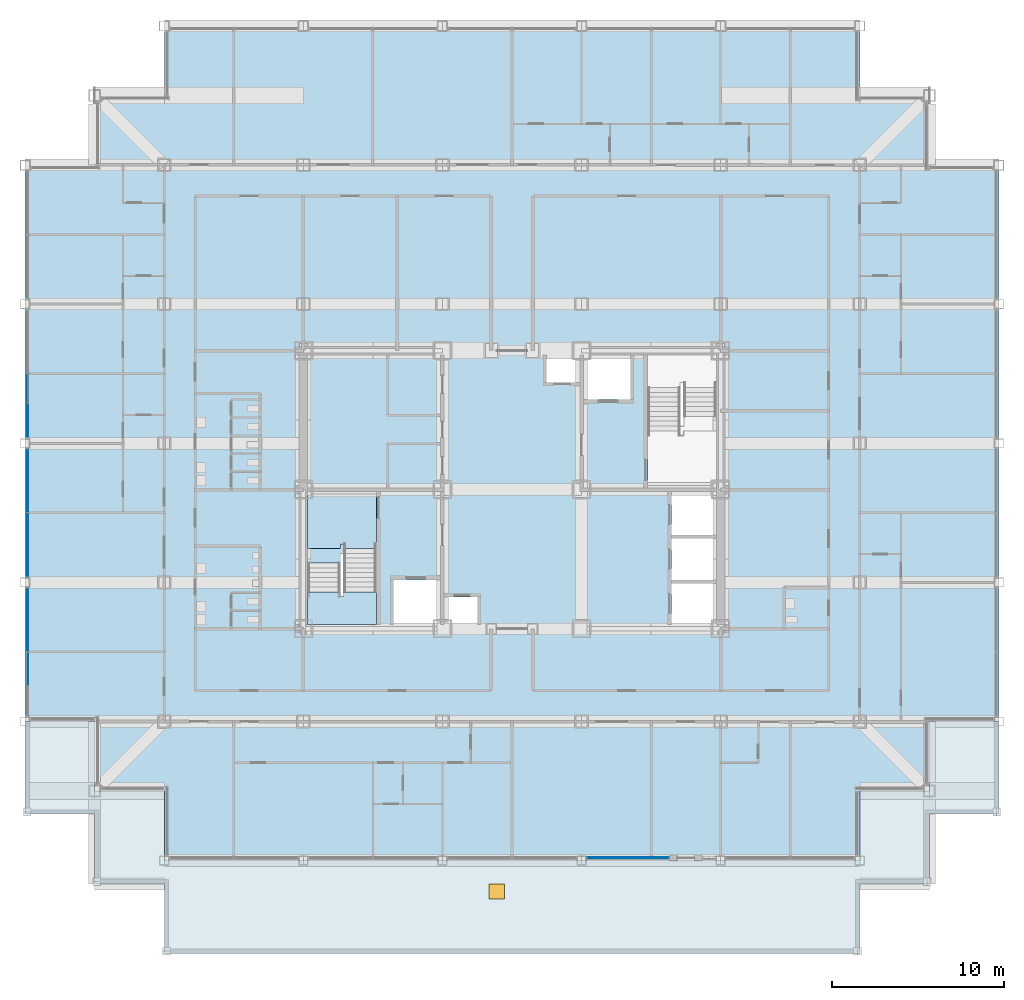
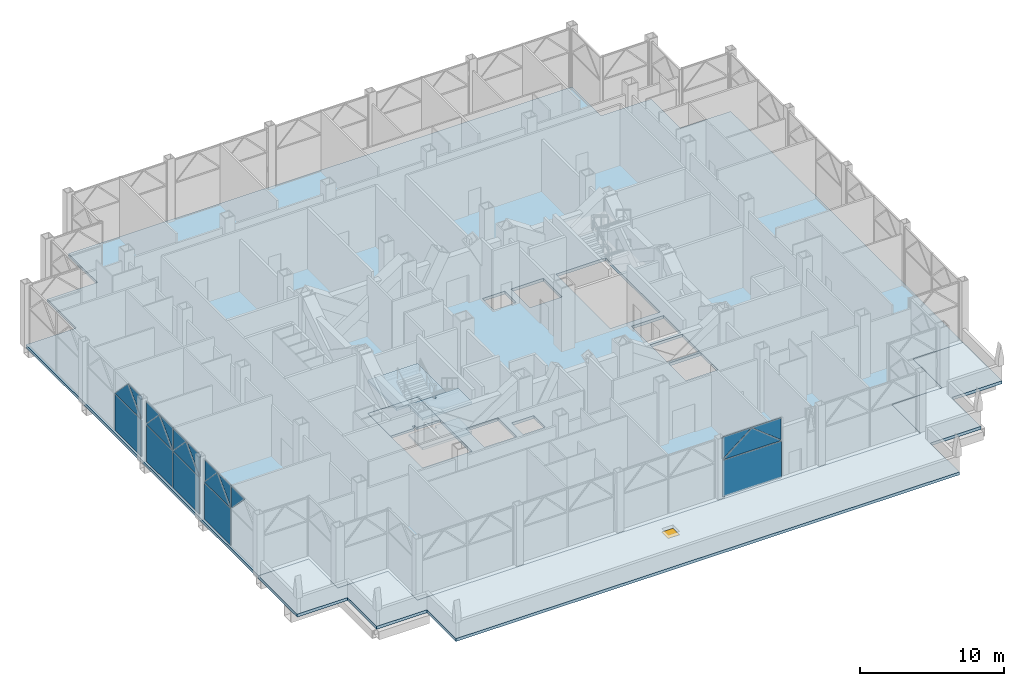
# One storey, part 13 of 29: 20 plates, 6 slabs, 1 window, 1 opening, 5 elements without a shape of their own.
"""IFC4 building model written with IfcOpenShell, lengths in metres."""

from ifc_helpers import new_model, si_unit, direction, frame, origin, origin_2d, place, context, subcontext, project, spatial, polyline, rectangle, outline, extrude, material, layer, layer_set, type_object, element, fill, aggregate, save


model = new_model("IFC4")

# Units and contexts
model_context = context("Model", 3, precision=1e-05, world=origin(), true_north=direction((0.0, 1.0)))
body_context = subcontext(model_context, "Body", "Model", "MODEL_VIEW")
ifc_project = project(units=[si_unit("LENGTHUNIT", "METRE"), si_unit("AREAUNIT", "SQUARE_METRE"), si_unit("VOLUMEUNIT", "CUBIC_METRE"), si_unit("PLANEANGLEUNIT", "RADIAN"), si_unit("MASSUNIT", "GRAM", prefix="KILO")], contexts=[model_context])

# Site, building, storey
site_placement = place(None, origin())
site = spatial("IfcSite", under=ifc_project, at=site_placement, CompositionType="ELEMENT")
building_placement = place(site_placement, origin())
building = spatial("IfcBuilding", under=site, at=building_placement, Name="Kopane Lantern Tower", CompositionType="ELEMENT")
storey_placement = place(building_placement, frame((0.0, 0.0, 165.0)))
storey = spatial("IfcBuildingStorey", under=building, at=storey_placement, Name="L42", CompositionType="ELEMENT", Elevation=165.0)

# Curtain wall, plates
ifc_material_1 = material(Name="Aluminium and clear glass", Category="aluminium")
curtain_wall_type = type_object("IfcCurtainWallType", Name="CURTAIN WALL CW4 RESIDENCES LOBBY", PredefinedType="USERDEFINED", material=ifc_material_1)
curtain_wall_1_placement = place(storey_placement, origin())
curtain_wall_1 = element("IfcCurtainWall", 1, at=curtain_wall_1_placement, inside=storey, type_object=curtain_wall_type, Name="Curtain wall CW4 S L42", ObjectType="CURTAIN WALL", PredefinedType="USERDEFINED")
ifc_material_2 = material(Name="Insulated clear glass unit", Category="glass")
ifc_layer_1 = layer(ifc_material_2, 0.028076171875)
ifc_layer_set_1 = layer_set([ifc_layer_1], Name="CURTAIN PANEL CW4-P 28")
plate_type = type_object("IfcPlateType", Name="CURTAIN PANEL CW4-P 28", PredefinedType="CURTAIN_PANEL", material=ifc_layer_set_1)
plate_1_placement = place(storey_placement, frame((35.1025390625, 10.949951171875, 0.06005859375), z_axis=(0.0, 0.0, 1.0), x_axis=(1.0, 0.0, 0.0)))
plate_1 = element("IfcPlate", 2, at=plate_1_placement, type_object=plate_type, Name="CW4 panel 1.1", PredefinedType="CURTAIN_PANEL", context=body_context, shape_type="SweptSolid", body=[
    extrude(rectangle(XDim=4.72509765625, YDim=0.028076171875, at=origin_2d()), origin(), (0.0, 0.0, 1.0), 3.10009765625),
])
plate_2_placement = place(storey_placement, frame((32.739990234375, 10.949951171875, 3.219970703125), z_axis=(0.0, 0.0, 1.0), x_axis=(1.0, 0.0, 0.0)))
plate_2 = element("IfcPlate", 3, at=plate_2_placement, type_object=plate_type, Name="CW4 lancet panel 1", PredefinedType="CURTAIN_PANEL", context=body_context, shape_type="SweptSolid", body=[
    extrude(outline(polyline([(0.0, 0.0), (4.72509765625, 0.0), (4.72509765625, 0.0009765625), (2.362548828125, 1.893310546875), (0.0, 0.0009765625), (0.0, 0.0)])), frame((0.0, 0.01416015625, 0.0), z_axis=(0.0, -1.0, 0.0), x_axis=(1.0, 0.0, 0.0)), (0.0, 0.0, 1.0), 0.028076171875),
])
plate_3_placement = place(storey_placement, frame((32.739990234375, 10.97998046875, 5.1298828125), z_axis=(0.0, 0.0, 1.0), x_axis=(1.0, 0.0, 0.0)))
plate_3 = element("IfcPlate", 4, at=plate_3_placement, type_object=plate_type, Name="CW4 spandrel panel 1L", PredefinedType="CURTAIN_PANEL", context=body_context, shape_type="SweptSolid", body=[
    extrude(outline(polyline([(0.0, 0.0), (2.362548828125, 0.0), (2.362548828125, -0.0009765625), (0.0, -1.863037109375), (0.0, 0.0)])), frame((0.0, 0.01416015625, 0.0), z_axis=(0.0, -1.0, 0.0), x_axis=(1.0, 0.0, 0.0)), (0.0, 0.0, 1.0), 0.028076171875),
])
plate_4_placement = place(storey_placement, frame((37.465087890625, 10.97998046875, 5.1298828125), z_axis=(0.0, 0.0, 1.0), x_axis=(-1.0, 0.0, 0.0)))
plate_4 = element("IfcPlate", 5, at=plate_4_placement, type_object=plate_type, Name="CW4 spandrel panel 1R", PredefinedType="CURTAIN_PANEL", context=body_context, shape_type="SweptSolid", body=[
    extrude(outline(polyline([(0.0, 0.0), (2.362548828125, 0.0), (2.362548828125, -0.0009765625), (0.0, -1.863037109375), (0.0, 0.0)])), frame((0.0, 0.01416015625, 0.0), z_axis=(0.0, -1.0, 0.0), x_axis=(1.0, 0.0, 0.0)), (0.0, 0.0, 1.0), 0.028076171875),
])
aggregate(curtain_wall_1, [plate_1, plate_2, plate_3, plate_4])

curtain_wall_2_placement = place(storey_placement, origin())
curtain_wall_2 = element("IfcCurtainWall", 6, at=curtain_wall_2_placement, inside=storey, type_object=curtain_wall_type, Name="Curtain wall CW4 W L42", ObjectType="CURTAIN WALL", PredefinedType="USERDEFINED")
plate_5_placement = place(storey_placement, frame((0.14990234375, 37.280029296875, 0.06005859375), z_axis=(0.0, 0.0, 1.0), x_axis=(0.0, -1.0, 0.0)))
plate_5 = element("IfcPlate", 7, at=plate_5_placement, type_object=plate_type, Name="CW4 panel 2.1", PredefinedType="CURTAIN_PANEL", context=body_context, shape_type="SweptSolid", body=[
    extrude(rectangle(XDim=3.679931640625, YDim=0.028076171875, at=origin_2d()), origin(), (0.0, 0.0, 1.0), 3.10009765625),
])
plate_6_placement = place(storey_placement, frame((0.14990234375, 39.1201171875, 3.219970703125), z_axis=(0.0, 0.0, 1.0), x_axis=(0.0, -1.0, 0.0)))
plate_6 = element("IfcPlate", 8, at=plate_6_placement, type_object=plate_type, Name="CW4 lancet panel 2", PredefinedType="CURTAIN_PANEL", context=body_context, shape_type="SweptSolid", body=[
    extrude(outline(polyline([(0.0, 0.0), (3.68017578125, 0.0), (3.679931640625, 0.0009765625), (1.840087890625, 1.913330078125), (0.0, 0.0009765625), (0.0, 0.0)])), frame((0.0, 0.01416015625, 0.0), z_axis=(0.0, -1.0, 0.0), x_axis=(1.0, 0.0, 0.0)), (0.0, 0.0, 1.0), 0.028076171875),
])
plate_7_placement = place(storey_placement, frame((0.179931640625, 35.43994140625, 5.1298828125), z_axis=(0.0, 0.0, 1.0), x_axis=(0.0, 1.0, 0.0)))
plate_7 = element("IfcPlate", 9, at=plate_7_placement, type_object=plate_type, Name="CW4 spandrel panel 2R", PredefinedType="CURTAIN_PANEL", context=body_context, shape_type="SweptSolid", body=[
    extrude(outline(polyline([(0.0, 0.0), (1.840087890625, 0.0), (1.840087890625, -0.0009765625), (0.0, -1.8681640625), (0.0, 0.0)])), frame((0.0, 0.01416015625, 0.0), z_axis=(0.0, -1.0, 0.0), x_axis=(1.0, 0.0, 0.0)), (0.0, 0.0, 1.0), 0.028076171875),
])
aggregate(curtain_wall_2, [plate_5, plate_6, plate_7])

curtain_wall_3_placement = place(storey_placement, origin())
curtain_wall_3 = element("IfcCurtainWall", 10, at=curtain_wall_3_placement, inside=storey, type_object=curtain_wall_type, Name="Curtain wall CW4 W L42", ObjectType="CURTAIN WALL", PredefinedType="USERDEFINED")
plate_8_placement = place(storey_placement, frame((0.14990234375, 32.919921875, 0.06005859375), z_axis=(0.0, 0.0, 1.0), x_axis=(0.0, -1.0, 0.0)))
plate_8 = element("IfcPlate", 11, at=plate_8_placement, type_object=plate_type, Name="CW4 panel 1.1", PredefinedType="CURTAIN_PANEL", context=body_context, shape_type="SweptSolid", body=[
    extrude(rectangle(XDim=3.679931640625, YDim=0.028076171875, at=origin_2d()), origin(), (0.0, 0.0, 1.0), 3.10009765625),
])
plate_9_placement = place(storey_placement, frame((0.14990234375, 29.179931640625, 0.06005859375), z_axis=(0.0, 0.0, 1.0), x_axis=(0.0, -1.0, 0.0)))
plate_9 = element("IfcPlate", 12, at=plate_9_placement, type_object=plate_type, Name="CW4 panel 2.1", PredefinedType="CURTAIN_PANEL", context=body_context, shape_type="SweptSolid", body=[
    extrude(rectangle(XDim=3.679931640625, YDim=0.028076171875, at=origin_2d()), origin(), (0.0, 0.0, 1.0), 3.10009765625),
])
plate_10_placement = place(storey_placement, frame((0.14990234375, 34.760009765625, 3.219970703125), z_axis=(0.0, 0.0, 1.0), x_axis=(0.0, -1.0, 0.0)))
plate_10 = element("IfcPlate", 13, at=plate_10_placement, type_object=plate_type, Name="CW4 lancet panel 1", PredefinedType="CURTAIN_PANEL", context=body_context, shape_type="SweptSolid", body=[
    extrude(outline(polyline([(0.0, 0.0), (3.679931640625, 0.0), (3.679931640625, 0.0009765625), (1.840087890625, 1.913330078125), (0.0, 0.0009765625), (0.0, 0.0)])), frame((0.0, 0.01416015625, 0.0), z_axis=(0.0, -1.0, 0.0), x_axis=(1.0, 0.0, 0.0)), (0.0, 0.0, 1.0), 0.028076171875),
])
plate_11_placement = place(storey_placement, frame((0.179931640625, 34.760009765625, 5.1298828125), z_axis=(0.0, 0.0, 1.0), x_axis=(0.0, -1.0, 0.0)))
plate_11 = element("IfcPlate", 14, at=plate_11_placement, type_object=plate_type, Name="CW4 spandrel panel 1L", PredefinedType="CURTAIN_PANEL", context=body_context, shape_type="SweptSolid", body=[
    extrude(outline(polyline([(0.0, 0.0), (1.840087890625, 0.0), (1.840087890625, -0.0009765625), (0.0, -1.8681640625), (0.0, 0.0)])), frame((0.0, 0.01416015625, 0.0), z_axis=(0.0, -1.0, 0.0), x_axis=(1.0, 0.0, 0.0)), (0.0, 0.0, 1.0), 0.028076171875),
])
plate_12_placement = place(storey_placement, frame((0.179931640625, 31.080078125, 5.1298828125), z_axis=(0.0, 0.0, 1.0), x_axis=(0.0, 1.0, 0.0)))
plate_12 = element("IfcPlate", 15, at=plate_12_placement, type_object=plate_type, Name="CW4 spandrel panel 1R", PredefinedType="CURTAIN_PANEL", context=body_context, shape_type="SweptSolid", body=[
    extrude(outline(polyline([(0.0, 0.0), (1.83984375, 0.0), (1.840087890625, -0.0009765625), (0.0, -1.8681640625), (0.0, 0.0)])), frame((0.0, 0.01416015625, 0.0), z_axis=(0.0, -1.0, 0.0), x_axis=(1.0, 0.0, 0.0)), (0.0, 0.0, 1.0), 0.028076171875),
])
plate_13_placement = place(storey_placement, frame((0.14990234375, 31.02001953125, 3.219970703125), z_axis=(0.0, 0.0, 1.0), x_axis=(0.0, -1.0, 0.0)))
plate_13 = element("IfcPlate", 16, at=plate_13_placement, type_object=plate_type, Name="CW4 lancet panel 2", PredefinedType="CURTAIN_PANEL", context=body_context, shape_type="SweptSolid", body=[
    extrude(outline(polyline([(0.0, 0.0), (3.679931640625, 0.0), (3.679931640625, 0.0009765625), (1.840087890625, 1.913330078125), (0.0, 0.0009765625), (0.0, 0.0)])), frame((0.0, 0.01416015625, 0.0), z_axis=(0.0, -1.0, 0.0), x_axis=(1.0, 0.0, 0.0)), (0.0, 0.0, 1.0), 0.028076171875),
])
plate_14_placement = place(storey_placement, frame((0.179931640625, 31.02001953125, 5.1298828125), z_axis=(0.0, 0.0, 1.0), x_axis=(0.0, -1.0, 0.0)))
plate_14 = element("IfcPlate", 17, at=plate_14_placement, type_object=plate_type, Name="CW4 spandrel panel 2L", PredefinedType="CURTAIN_PANEL", context=body_context, shape_type="SweptSolid", body=[
    extrude(outline(polyline([(0.0, 0.0), (1.840087890625, 0.0), (1.840087890625, -0.0009765625), (0.0, -1.8681640625), (0.0, 0.0)])), frame((0.0, 0.01416015625, 0.0), z_axis=(0.0, -1.0, 0.0), x_axis=(1.0, 0.0, 0.0)), (0.0, 0.0, 1.0), 0.028076171875),
])
plate_15_placement = place(storey_placement, frame((0.179931640625, 27.340087890625, 5.1298828125), z_axis=(0.0, 0.0, 1.0), x_axis=(0.0, 1.0, 0.0)))
plate_15 = element("IfcPlate", 18, at=plate_15_placement, type_object=plate_type, Name="CW4 spandrel panel 2R", PredefinedType="CURTAIN_PANEL", context=body_context, shape_type="SweptSolid", body=[
    extrude(outline(polyline([(0.0, 0.0), (1.83984375, 0.0), (1.840087890625, -0.0009765625), (0.0, -1.8681640625), (0.0, 0.0)])), frame((0.0, 0.01416015625, 0.0), z_axis=(0.0, -1.0, 0.0), x_axis=(1.0, 0.0, 0.0)), (0.0, 0.0, 1.0), 0.028076171875),
])
aggregate(curtain_wall_3, [plate_8, plate_9, plate_10, plate_11, plate_12, plate_13, plate_14, plate_15])

curtain_wall_4_placement = place(storey_placement, origin())
curtain_wall_4 = element("IfcCurtainWall", 19, at=curtain_wall_4_placement, inside=storey, type_object=curtain_wall_type, Name="Curtain wall CW4 W L42", ObjectType="CURTAIN WALL", PredefinedType="USERDEFINED")
plate_16_placement = place(storey_placement, frame((0.14990234375, 24.820068359375, 0.06005859375), z_axis=(0.0, 0.0, 1.0), x_axis=(0.0, -1.0, 0.0)))
plate_16 = element("IfcPlate", 20, at=plate_16_placement, type_object=plate_type, Name="CW4 panel 1.1", PredefinedType="CURTAIN_PANEL", context=body_context, shape_type="SweptSolid", body=[
    extrude(rectangle(XDim=3.679931640625, YDim=0.028076171875, at=origin_2d()), origin(), (0.0, 0.0, 1.0), 3.10009765625),
])
plate_17_placement = place(storey_placement, frame((0.14990234375, 26.659912109375, 3.219970703125), z_axis=(0.0, 0.0, 1.0), x_axis=(0.0, -1.0, 0.0)))
plate_17 = element("IfcPlate", 21, at=plate_17_placement, type_object=plate_type, Name="CW4 lancet panel 1", PredefinedType="CURTAIN_PANEL", context=body_context, shape_type="SweptSolid", body=[
    extrude(outline(polyline([(0.0, 0.0), (3.679931640625, 0.0), (3.679931640625, 0.0009765625), (1.840087890625, 1.913330078125), (0.0, 0.0009765625), (0.0, 0.0)])), frame((0.0, 0.01416015625, 0.0), z_axis=(0.0, -1.0, 0.0), x_axis=(1.0, 0.0, 0.0)), (0.0, 0.0, 1.0), 0.028076171875),
])
plate_18_placement = place(storey_placement, frame((0.179931640625, 26.659912109375, 5.1298828125), z_axis=(0.0, 0.0, 1.0), x_axis=(0.0, -1.0, 0.0)))
plate_18 = element("IfcPlate", 22, at=plate_18_placement, type_object=plate_type, Name="CW4 spandrel panel 1L", PredefinedType="CURTAIN_PANEL", context=body_context, shape_type="SweptSolid", body=[
    extrude(outline(polyline([(0.0, 0.0), (1.83984375, 0.0), (1.840087890625, -0.0009765625), (0.0, -1.8681640625), (0.0, 0.0)])), frame((0.0, 0.01416015625, 0.0), z_axis=(0.0, -1.0, 0.0), x_axis=(1.0, 0.0, 0.0)), (0.0, 0.0, 1.0), 0.028076171875),
])
plate_19_placement = place(storey_placement, frame((0.179931640625, 22.97998046875, 5.1298828125), z_axis=(0.0, 0.0, 1.0), x_axis=(0.0, 1.0, 0.0)))
plate_19 = element("IfcPlate", 23, at=plate_19_placement, type_object=plate_type, Name="CW4 spandrel panel 1R", PredefinedType="CURTAIN_PANEL", context=body_context, shape_type="SweptSolid", body=[
    extrude(outline(polyline([(0.0, 0.0), (1.840087890625, 0.0), (1.840087890625, -0.0009765625), (0.0, -1.8681640625), (0.0, 0.0)])), frame((0.0, 0.01416015625, 0.0), z_axis=(0.0, -1.0, 0.0), x_axis=(1.0, 0.0, 0.0)), (0.0, 0.0, 1.0), 0.028076171875),
])
plate_20_placement = place(storey_placement, frame((0.179931640625, 22.919921875, 5.1298828125), z_axis=(0.0, 0.0, 1.0), x_axis=(0.0, -1.0, 0.0)))
plate_20 = element("IfcPlate", 24, at=plate_20_placement, type_object=plate_type, Name="CW4 spandrel panel 2L", PredefinedType="CURTAIN_PANEL", context=body_context, shape_type="SweptSolid", body=[
    extrude(outline(polyline([(0.0, 0.0), (1.83984375, 0.0), (1.840087890625, -0.0009765625), (0.0, -1.8681640625), (0.0, 0.0)])), frame((0.0, 0.01416015625, 0.0), z_axis=(0.0, -1.0, 0.0), x_axis=(1.0, 0.0, 0.0)), (0.0, 0.0, 1.0), 0.028076171875),
])
aggregate(curtain_wall_4, [plate_16, plate_17, plate_18, plate_19, plate_20])

# Slab
ifc_material_3 = material(Name="Concrete C40/50", Category="concrete")
ifc_layer_2 = layer(ifc_material_3, 0.25)
ifc_layer_set_2 = layer_set([ifc_layer_2], Name="SLAB 250 COMPOSITE")
slab_type_1 = type_object("IfcSlabType", Name="SLAB 250 COMPOSITE", PredefinedType="FLOOR", material=ifc_layer_set_2)
slab_1_placement = place(storey_placement, frame((0.0, 0.0, -0.25)))
element("IfcSlab", 25, at=slab_1_placement, inside=storey, type_object=slab_type_1, Name="Floor slab L42", PredefinedType="FLOOR", context=body_context, shape_type="SweptSolid", body=[
    extrude(outline(polyline([(8.10009765625, 10.800048828125), (48.60009765625, 10.800048828125), (48.60009765625, 14.85009765625), (52.64990234375, 14.85009765625), (52.64990234375, 18.89990234375), (56.699951171875, 18.89990234375), (56.699951171875, 51.300048828125), (52.64990234375, 51.300048828125), (52.64990234375, 55.35009765625), (48.60009765625, 55.35009765625), (48.60009765625, 59.39990234375), (8.10009765625, 59.39990234375), (8.10009765625, 55.35009765625), (4.050048828125, 55.35009765625), (4.050048828125, 51.300048828125), (0.0, 51.300048828125), (0.0, 18.89990234375), (4.050048828125, 18.89990234375), (4.050048828125, 14.85009765625), (8.10009765625, 14.85009765625), (8.10009765625, 10.800048828125)]), holes=[polyline([(16.449951171875, 24.550048828125), (20.449951171875, 24.550048828125), (20.449951171875, 32.14990234375), (16.449951171875, 32.14990234375), (16.449951171875, 24.550048828125)]), polyline([(36.25, 32.64990234375), (40.25, 32.64990234375), (40.25, 40.25), (36.25, 40.25), (36.25, 32.64990234375)]), polyline([(37.64990234375, 24.550048828125), (40.25, 24.550048828125), (40.25, 26.949951171875), (37.64990234375, 26.949951171875), (37.64990234375, 24.550048828125)]), polyline([(37.64990234375, 27.14990234375), (40.25, 27.14990234375), (40.25, 29.550048828125), (37.64990234375, 29.550048828125), (37.64990234375, 27.14990234375)]), polyline([(37.64990234375, 29.75), (40.25, 29.75), (40.25, 32.14990234375), (37.64990234375, 32.14990234375), (37.64990234375, 29.75)]), polyline([(21.449951171875, 24.550048828125), (24.050048828125, 24.550048828125), (24.050048828125, 27.14990234375), (21.449951171875, 27.14990234375), (21.449951171875, 24.550048828125)]), polyline([(32.64990234375, 37.64990234375), (35.25, 37.64990234375), (35.25, 40.25), (32.64990234375, 40.25), (32.64990234375, 37.64990234375)]), polyline([(24.550048828125, 24.550048828125), (26.35009765625, 24.550048828125), (26.35009765625, 26.14990234375), (24.550048828125, 26.14990234375), (24.550048828125, 24.550048828125)]), polyline([(30.35009765625, 38.64990234375), (32.14990234375, 38.64990234375), (32.14990234375, 40.25), (30.35009765625, 40.25), (30.35009765625, 38.64990234375)])]), origin(), (0.0, 0.0, 1.0), 0.25),
])

# Slab, opening, window
ifc_material_4 = material(Name="Concrete C40/50", Category="concrete")
ifc_layer_3 = layer(ifc_material_4, 0.25)
ifc_layer_set_3 = layer_set([ifc_layer_3], Name="SLAB 250 ROOF")
slab_type_2 = type_object("IfcSlabType", Name="SLAB 250 ROOF", PredefinedType="ROOF", material=ifc_layer_set_3)
slab_2_placement = place(storey_placement, frame((0.0, 0.0, -0.25)))
slab_2 = element("IfcSlab", 26, at=slab_2_placement, inside=storey, type_object=slab_type_2, Name="Maintenance roof slab L42", PredefinedType="ROOF", context=body_context, shape_type="SweptSolid", body=[
    extrude(outline(polyline([(56.699951171875, 13.5), (52.64990234375, 13.5), (52.64990234375, 9.449951171875), (48.60009765625, 9.449951171875), (48.60009765625, 5.39990234375), (8.10009765625, 5.39990234375), (8.10009765625, 9.449951171875), (4.050048828125, 9.449951171875), (4.050048828125, 13.5), (0.0, 13.5), (0.0, 18.89990234375), (4.050048828125, 18.89990234375), (4.050048828125, 14.85009765625), (8.10009765625, 14.85009765625), (8.10009765625, 10.800048828125), (48.60009765625, 10.800048828125), (48.60009765625, 14.85009765625), (52.64990234375, 14.85009765625), (52.64990234375, 18.89990234375), (56.699951171875, 18.89990234375), (56.699951171875, 13.5)])), origin(), (0.0, 0.0, 1.0), 0.25),
])
opening_placement = place(slab_2_placement, frame((27.449951171875, 9.0, 0.0)))
opening = element("IfcOpeningElement", 27, at=opening_placement, cuts=slab_2, Name="Opening RH1", PredefinedType="OPENING", context=body_context, shape_type="SweptSolid", body=[
    extrude(rectangle(XDim=0.89990234375, YDim=0.89990234375, at=origin_2d()), origin(), (0.0, 0.0, 1.0), 0.25),
])
ifc_material_5 = material(Name="Insulated aluminium", Category="aluminium")
window_type = type_object("IfcWindowType", Name="ROOF ACCESS HATCH RH1 900x900", PartitioningType="SINGLE_PANEL", PredefinedType="SKYLIGHT", material=ifc_material_5)
window_placement = place(opening_placement, frame((0.0, 0.0, 0.199951171875)))
window = element("IfcWindow", 28, at=window_placement, inside=storey, type_object=window_type, Name="Roof access hatch L42", OverallHeight=0.89990234375, OverallWidth=0.89990234375, PartitioningType="SINGLE_PANEL", PredefinedType="SKYLIGHT", context=body_context, shape_type="SweptSolid", body=[
    extrude(rectangle(XDim=0.89990234375, YDim=0.89990234375, at=origin_2d()), origin(), (0.0, 0.0, 1.0), 0.050048828125),
])
fill(opening, window)

# Stair, slabs
ifc_material_6 = material(Name="Steel S355JR", Category="steel")
stair_type = type_object("IfcStairType", Name="EXIT STAIR 1900 HALF TURN", PredefinedType="HALF_TURN_STAIR", material=ifc_material_6)
stair_placement = place(storey_placement, origin())
stair = element("IfcStair", 29, at=stair_placement, inside=storey, type_object=stair_type, Name="Exit stair ST1 L42", PredefinedType="HALF_TURN_STAIR")
ifc_material_7 = material(Name="Concrete C40/50", Category="concrete")
ifc_layer_4 = layer(ifc_material_7, 0.199951171875)
ifc_layer_set_4 = layer_set([ifc_layer_4], Name="STAIR LANDING 200")
slab_type_3 = type_object("IfcSlabType", Name="STAIR LANDING 200", PredefinedType="LANDING", material=ifc_layer_set_4)
slab_3_placement = place(storey_placement, frame((0.0, 0.0, -0.199951171875)))
slab_3 = element("IfcSlab", 30, at=slab_3_placement, type_object=slab_type_3, Name="ST1 landing 1", PredefinedType="LANDING", context=body_context, shape_type="SweptSolid", body=[
    extrude(outline(polyline([(18.35009765625, 29.25), (18.550048828125, 29.25), (18.550048828125, 28.969970703125), (20.449951171875, 28.969970703125), (20.449951171875, 32.14990234375), (16.449951171875, 32.14990234375), (16.449951171875, 28.969970703125), (18.35009765625, 28.969970703125), (18.35009765625, 29.25)])), origin(), (0.0, 0.0, 1.0), 0.199951171875),
])
slab_4_placement = place(storey_placement, frame((0.0, 0.0, 1.487548828125)))
slab_4 = element("IfcSlab", 31, at=slab_4_placement, type_object=slab_type_3, Name="ST1 landing 2", PredefinedType="LANDING", context=body_context, shape_type="SweptSolid", body=[
    extrude(outline(polyline([(20.449951171875, 26.449951171875), (18.550048828125, 26.449951171875), (18.550048828125, 26.169921875), (18.35009765625, 26.169921875), (18.35009765625, 26.449951171875), (16.449951171875, 26.449951171875), (16.449951171875, 24.550048828125), (20.449951171875, 24.550048828125), (20.449951171875, 26.449951171875)])), origin(), (0.0, 0.0, 1.0), 0.199951171875),
])
slab_5_placement = place(storey_placement, frame((0.0, 0.0, 2.668701171875)))
slab_5 = element("IfcSlab", 32, at=slab_5_placement, type_object=slab_type_3, Name="ST1 landing 3", PredefinedType="LANDING", context=body_context, shape_type="SweptSolid", body=[
    extrude(outline(polyline([(18.35009765625, 28.68994140625), (18.550048828125, 28.68994140625), (18.550048828125, 28.1298828125), (20.449951171875, 28.1298828125), (20.449951171875, 32.14990234375), (16.449951171875, 32.14990234375), (16.449951171875, 28.1298828125), (18.35009765625, 28.1298828125), (18.35009765625, 28.68994140625)])), origin(), (0.0, 0.0, 1.0), 0.2001953125),
])
slab_6_placement = place(storey_placement, frame((0.0, 0.0, 4.018798828125)))
slab_6 = element("IfcSlab", 33, at=slab_6_placement, type_object=slab_type_3, Name="ST1 landing 4", PredefinedType="LANDING", context=body_context, shape_type="SweptSolid", body=[
    extrude(outline(polyline([(20.449951171875, 26.449951171875), (18.550048828125, 26.449951171875), (18.550048828125, 26.169921875), (18.35009765625, 26.169921875), (18.35009765625, 26.449951171875), (16.449951171875, 26.449951171875), (16.449951171875, 24.550048828125), (20.449951171875, 24.550048828125), (20.449951171875, 26.449951171875)])), origin(), (0.0, 0.0, 1.0), 0.199951171875),
])
aggregate(stair, [slab_3, slab_4, slab_5, slab_6])

save(model, "model.ifc")
